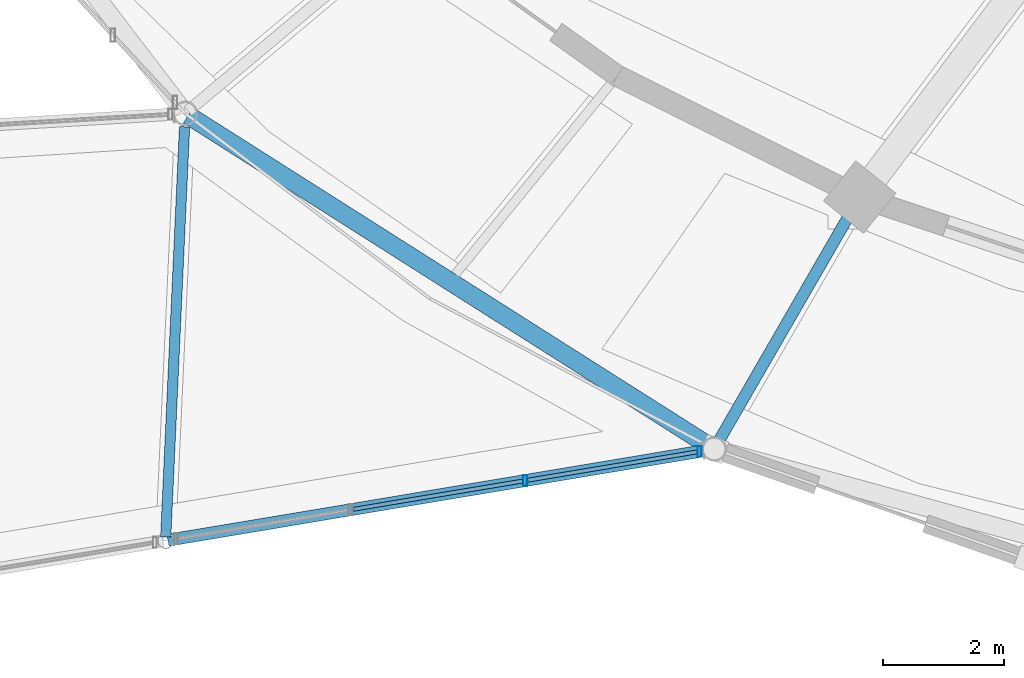
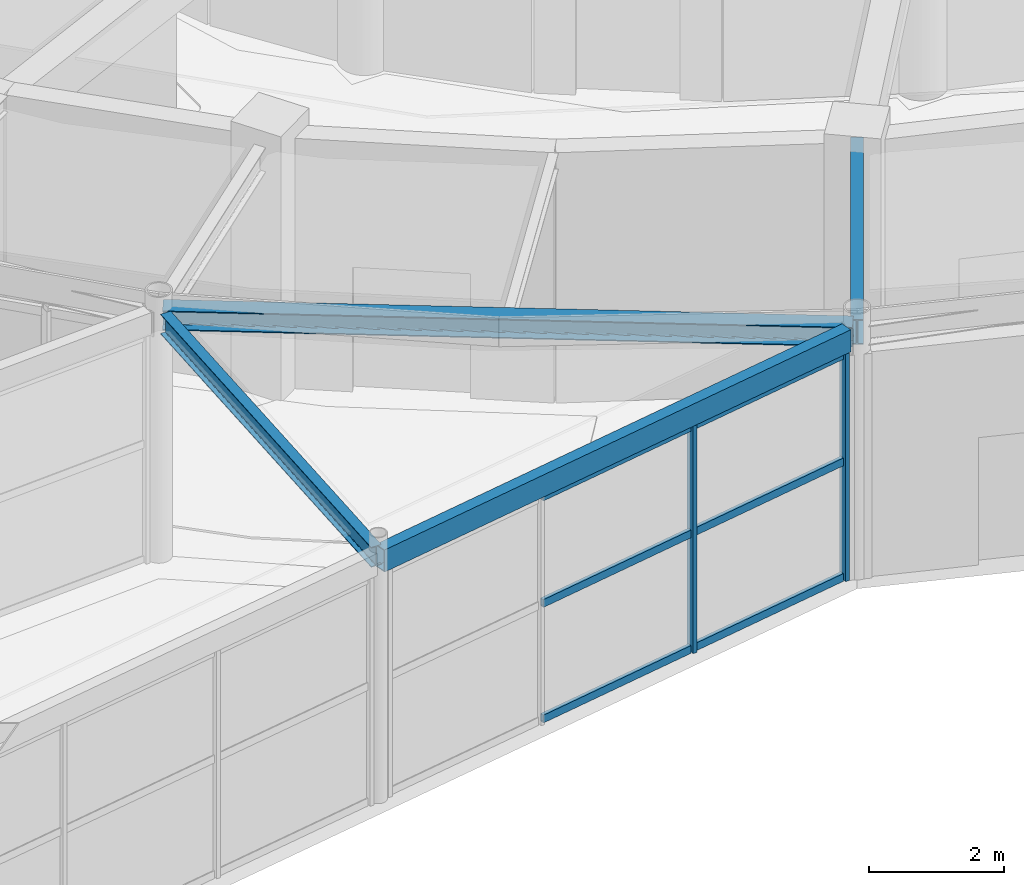
# One storey, part 26 of 108: 8 members, 4 beams, 1 element without a shape of its own.
"""IFC4 building model written with IfcOpenShell, lengths in metres."""

from ifc_helpers import new_model, si_unit, direction, frame, origin, origin_2d, place, context, subcontext, project, spatial, hollow_rectangle, i_section, extrude, material, material_profile, profile_set, type_object, element, aggregate, save


model = new_model("IFC4")

# Units and contexts
model_context = context("Model", 3, precision=1e-05, world=origin(), true_north=direction((0.0, 1.0)))
body_context = subcontext(model_context, "Body", "Model", "MODEL_VIEW")
ifc_project = project(units=[si_unit("LENGTHUNIT", "METRE"), si_unit("AREAUNIT", "SQUARE_METRE"), si_unit("VOLUMEUNIT", "CUBIC_METRE"), si_unit("PLANEANGLEUNIT", "RADIAN"), si_unit("MASSUNIT", "GRAM", prefix="KILO")], contexts=[model_context])

# Site, building, storey
site_placement = place(None, origin())
site = spatial("IfcSite", under=ifc_project, at=site_placement, CompositionType="ELEMENT")
building_placement = place(site_placement, origin())
building = spatial("IfcBuilding", under=site, at=building_placement, Name="Tarnveldt Headland Concert Hall", CompositionType="ELEMENT")
storey_placement = place(building_placement, origin())
storey = spatial("IfcBuildingStorey", under=building, at=storey_placement, Name="L00", CompositionType="ELEMENT", Elevation=0.0)

# Curtain wall, members
ifc_material_1 = material(Name="Marine-anodised aluminium EN AW-6063-T6", Category="aluminium")
curtain_wall_type = type_object("IfcCurtainWallType", Name="CW-L1", PredefinedType="NOTDEFINED", material=ifc_material_1)
curtain_wall_placement = place(storey_placement, origin())
curtain_wall = element("IfcCurtainWall", 1, at=curtain_wall_placement, inside=storey, type_object=curtain_wall_type, Name="Curtain wall CW-L00-169", PredefinedType="NOTDEFINED")
ifc_material_profile_1 = material_profile(ifc_material_1, hollow_rectangle(XDim=0.06494140625, YDim=0.179931640625, WallThickness=0.00390625, at=origin_2d()), Name="ALU MULLION 65x180x4", Category="aluminium")
ifc_profile_set_1 = profile_set([ifc_material_profile_1], Name="Marine-anodised aluminium EN AW-6063-T6")
member_type_1 = type_object("IfcMemberType", Name="ML-180", PredefinedType="MULLION", material=ifc_profile_set_1)
member_1_placement = place(storey_placement, frame((63.9814453125, 32.501708984375, 0.0), z_axis=(0.0, 0.0, 1.0), x_axis=(1.0, 0.0, 0.0)))
member_1 = element("IfcMember", 2, at=member_1_placement, type_object=member_type_1, Name="Mullion CW-L00-169-3", PredefinedType="MULLION", context=body_context, shape_type="SweptSolid", body=[
    extrude(hollow_rectangle(XDim=0.06494140625, YDim=0.179931640625, WallThickness=0.00390625, at=origin_2d()), origin(), (0.0, 0.0, 1.0), 4.10791015625),
])
member_2_placement = place(storey_placement, frame((66.860107421875, 32.982421875, 0.0), z_axis=(0.0, 0.0, 1.0), x_axis=(1.0, 0.0, 0.0)))
member_2 = element("IfcMember", 3, at=member_2_placement, type_object=member_type_1, Name="Mullion CW-L00-169-4", PredefinedType="MULLION", context=body_context, shape_type="SweptSolid", body=[
    extrude(hollow_rectangle(XDim=0.06494140625, YDim=0.179931640625, WallThickness=0.00390625, at=origin_2d()), origin(), (0.0, 0.0, 1.0), 4.10791015625),
])

# Beams
ifc_material_2 = material(Name="Steel S355", Category="steel")
ifc_material_profile_2 = material_profile(ifc_material_2, i_section(OverallWidth=0.300048828125, OverallDepth=0.35009765625, WebThickness=0.010009765625, FlangeThickness=0.017578125, FilletRadius=0.027099609375, at=origin_2d()), Name="HEA360", Category="steel")
ifc_profile_set_2 = profile_set([ifc_material_profile_2], Name="Steel S355")
beam_type_1 = type_object("IfcBeamType", Name="SB-HEA360", PredefinedType="SPANDREL", material=ifc_profile_set_2)
beam_1_placement = place(storey_placement, frame((58.42431640625, 38.52685546875, 4.344970703125), z_axis=(0.844390967344, -0.535727444012, 0.0), x_axis=(0.535727444012, 0.844390967344, 0.0)))
element("IfcBeam", 4, at=beam_1_placement, inside=storey, type_object=beam_type_1, Name="Framing beam L00-380", PredefinedType="SPANDREL", context=body_context, shape_type="SweptSolid", body=[
    extrude(i_section(OverallWidth=0.300048828125, OverallDepth=0.35009765625, WebThickness=0.010009765625, FlangeThickness=0.017578125, FilletRadius=0.027099609375, at=origin_2d()), origin(), (0.0, 0.0, 1.0), 10.21435546875),
])
ifc_material_profile_3 = material_profile(ifc_material_2, i_section(OverallWidth=0.169921875, OverallDepth=0.360107421875, WebThickness=0.008056640625, FlangeThickness=0.0126953125, FilletRadius=0.01806640625, at=origin_2d()), Name="IPE360", Category="steel")
ifc_profile_set_3 = profile_set([ifc_material_profile_3], Name="Steel S355")
beam_type_2 = type_object("IfcBeamType", Name="SB-IPE360", PredefinedType="JOIST", material=ifc_profile_set_3)
beam_2_placement = place(storey_placement, frame((58.052734375, 31.5712890625, 4.340087890625), z_axis=(0.04587352032, 0.998947255932, 0.0), x_axis=(-0.998947255932, 0.04587352032, 0.0)))
element("IfcBeam", 5, at=beam_2_placement, inside=storey, type_object=beam_type_2, Name="Framing beam BM-LKX2-L00", PredefinedType="JOIST", context=body_context, shape_type="SweptSolid", body=[
    extrude(i_section(OverallWidth=0.169921875, OverallDepth=0.360107421875, WebThickness=0.008056640625, FlangeThickness=0.0126953125, FilletRadius=0.01806640625, at=origin_2d()), origin(), (0.0, 0.0, 1.0), 6.77490234375),
])
ifc_material_profile_4 = material_profile(ifc_material_2, i_section(OverallWidth=0.18994140625, OverallDepth=0.449951171875, WebThickness=0.009521484375, FlangeThickness=0.0146484375, FilletRadius=0.02099609375, at=origin_2d()), Name="IPE450", Category="steel")
ifc_profile_set_4 = profile_set([ifc_material_profile_4], Name="Steel S355")
beam_type_3 = type_object("IfcBeamType", Name="SB-IPE450", PredefinedType="BEAM", material=ifc_profile_set_4)
beam_3_placement = place(storey_placement, frame((69.47998046875, 37.14501953125, 4.294921875), z_axis=(-0.500016218704, -0.866016039709, 0.0), x_axis=(0.866016039709, -0.500016218704, 0.0)))
element("IfcBeam", 6, at=beam_3_placement, inside=storey, type_object=beam_type_3, Name="Framing beam L00-384", PredefinedType="BEAM", context=body_context, shape_type="SweptSolid", body=[
    extrude(i_section(OverallWidth=0.18994140625, OverallDepth=0.449951171875, WebThickness=0.009521484375, FlangeThickness=0.0146484375, FilletRadius=0.02099609375, at=origin_2d()), origin(), (0.0, 0.0, 1.0), 4.699951171875),
])
ifc_material_profile_5 = material_profile(ifc_material_2, hollow_rectangle(XDim=0.199951171875, YDim=0.39990234375, WallThickness=0.01611328125, at=origin_2d()), Name="RHS 400x200x16", Category="steel")
ifc_profile_set_5 = profile_set([ifc_material_profile_5], Name="Steel S355")
beam_type_4 = type_object("IfcBeamType", Name="SB-RHS400", PredefinedType="BEAM", material=ifc_profile_set_5)
beam_4_placement = place(storey_placement, frame((58.089599609375, 31.517822265625, 4.320068359375), z_axis=(0.986337741606, 0.164735726194, 0.0), x_axis=(-0.164735726194, 0.986337741606, 0.0)))
element("IfcBeam", 7, at=beam_4_placement, inside=storey, type_object=beam_type_4, Name="Framing beam L00-602", PredefinedType="BEAM", context=body_context, shape_type="SweptSolid", body=[
    extrude(hollow_rectangle(XDim=0.199951171875, YDim=0.39990234375, WallThickness=0.01611328125, at=origin_2d()), origin(), (0.0, 0.0, 1.0), 8.93505859375),
])

# Member
ifc_material_profile_6 = material_profile(ifc_material_1, hollow_rectangle(XDim=0.06494140625, YDim=0.139892578125, WallThickness=0.00390625, at=origin_2d()), Name="ALU TRANSOM 65x140x4", Category="aluminium")
ifc_profile_set_6 = profile_set([ifc_material_profile_6], Name="Marine-anodised aluminium EN AW-6063-T6")
member_type_2 = type_object("IfcMemberType", Name="TR-140", PredefinedType="MEMBER", material=ifc_profile_set_6)
member_3_placement = place(storey_placement, frame((61.146728515625, 32.0283203125, 0.050048828125), z_axis=(0.986340233819, 0.164720803636, 0.0), x_axis=(-0.164720803636, 0.986340233819, 0.0)))
member_3 = element("IfcMember", 8, at=member_3_placement, type_object=member_type_2, Name="Transom CW-L00-169-2-1", PredefinedType="MEMBER", context=body_context, shape_type="SweptSolid", body=[
    extrude(hollow_rectangle(XDim=0.06494140625, YDim=0.139892578125, WallThickness=0.00390625, at=origin_2d()), origin(), (0.0, 0.0, 1.0), 2.829345703125),
])

member_4_placement = place(storey_placement, frame((61.146728515625, 32.0283203125, 2.13623046875), z_axis=(0.986340233819, 0.164720803636, 0.0), x_axis=(-0.164720803636, 0.986340233819, 0.0)))
member_4 = element("IfcMember", 9, at=member_4_placement, type_object=member_type_2, Name="Transom CW-L00-169-2-2", PredefinedType="MEMBER", context=body_context, shape_type="SweptSolid", body=[
    extrude(hollow_rectangle(XDim=0.06494140625, YDim=0.139892578125, WallThickness=0.00390625, at=origin_2d()), origin(), (0.0, 0.0, 1.0), 2.829345703125),
])

member_5_placement = place(storey_placement, frame((61.146728515625, 32.0283203125, 4.05810546875), z_axis=(0.986340233819, 0.164720803636, 0.0), x_axis=(-0.164720803636, 0.986340233819, 0.0)))
member_5 = element("IfcMember", 10, at=member_5_placement, type_object=member_type_2, Name="Transom CW-L00-169-2-3", PredefinedType="MEMBER", context=body_context, shape_type="SweptSolid", body=[
    extrude(hollow_rectangle(XDim=0.06494140625, YDim=0.139892578125, WallThickness=0.00390625, at=origin_2d()), origin(), (0.0, 0.0, 1.0), 2.829345703125),
])

member_6_placement = place(storey_placement, frame((64.025390625, 32.509033203125, 0.050048828125), z_axis=(0.986340233819, 0.164720803636, 0.0), x_axis=(-0.164720803636, 0.986340233819, 0.0)))
member_6 = element("IfcMember", 11, at=member_6_placement, type_object=member_type_2, Name="Transom CW-L00-169-3-1", PredefinedType="MEMBER", context=body_context, shape_type="SweptSolid", body=[
    extrude(hollow_rectangle(XDim=0.06494140625, YDim=0.139892578125, WallThickness=0.00390625, at=origin_2d()), origin(), (0.0, 0.0, 1.0), 2.829345703125),
])

member_7_placement = place(storey_placement, frame((64.025390625, 32.509033203125, 2.13623046875), z_axis=(0.986340233819, 0.164720803636, 0.0), x_axis=(-0.164720803636, 0.986340233819, 0.0)))
member_7 = element("IfcMember", 12, at=member_7_placement, type_object=member_type_2, Name="Transom CW-L00-169-3-2", PredefinedType="MEMBER", context=body_context, shape_type="SweptSolid", body=[
    extrude(hollow_rectangle(XDim=0.06494140625, YDim=0.139892578125, WallThickness=0.00390625, at=origin_2d()), origin(), (0.0, 0.0, 1.0), 2.829345703125),
])

member_8_placement = place(storey_placement, frame((64.025390625, 32.509033203125, 4.05810546875), z_axis=(0.986340233819, 0.164720803636, 0.0), x_axis=(-0.164720803636, 0.986340233819, 0.0)))
member_8 = element("IfcMember", 13, at=member_8_placement, type_object=member_type_2, Name="Transom CW-L00-169-3-3", PredefinedType="MEMBER", context=body_context, shape_type="SweptSolid", body=[
    extrude(hollow_rectangle(XDim=0.06494140625, YDim=0.139892578125, WallThickness=0.00390625, at=origin_2d()), origin(), (0.0, 0.0, 1.0), 2.829345703125),
])

aggregate(curtain_wall, [member_1, member_2, member_3, member_4, member_5, member_6, member_7, member_8])

save(model, "model.ifc")
